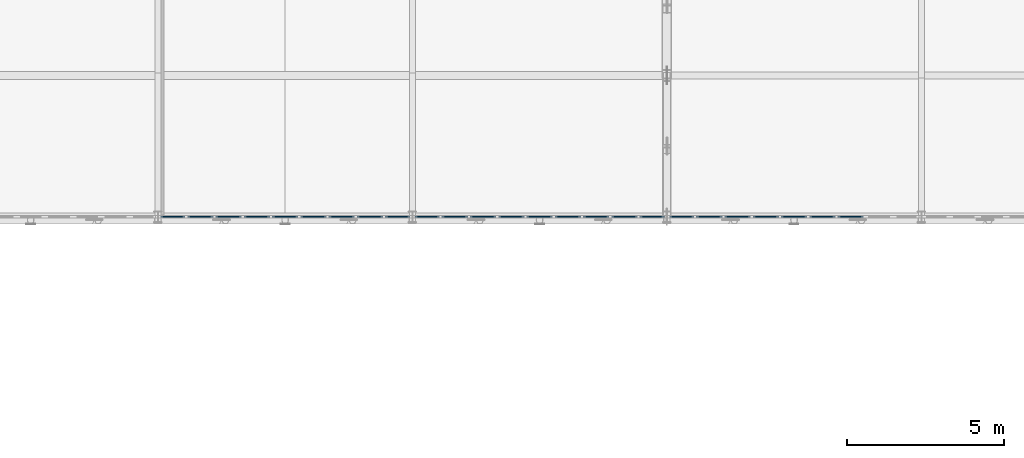
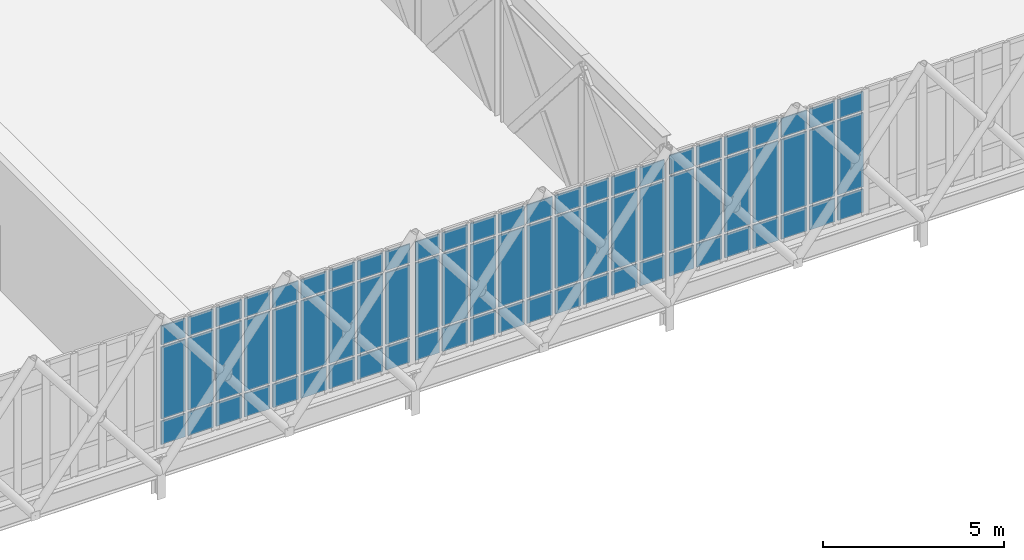
# One storey, part 66 of 107: 75 plates, 3 elements without a shape of their own.
"""IFC4 building model written with IfcOpenShell, lengths in metres."""

from ifc_helpers import new_model, si_unit, direction, frame, origin, origin_2d, place, context, subcontext, project, spatial, rectangle, extrude, material, layer, layer_set, type_object, element, aggregate, save


model = new_model("IFC4")

# Units and contexts
model_context = context("Model", 3, precision=1e-05, world=origin(), true_north=direction((0.0, 1.0)))
body_context = subcontext(model_context, "Body", "Model", "MODEL_VIEW")
ifc_project = project(units=[si_unit("LENGTHUNIT", "METRE"), si_unit("AREAUNIT", "SQUARE_METRE"), si_unit("VOLUMEUNIT", "CUBIC_METRE"), si_unit("PLANEANGLEUNIT", "RADIAN"), si_unit("MASSUNIT", "GRAM", prefix="KILO")], contexts=[model_context])

# Site, building, storey
site_placement = place(None, origin())
site = spatial("IfcSite", under=ifc_project, at=site_placement, CompositionType="ELEMENT")
building_placement = place(site_placement, origin())
building = spatial("IfcBuilding", under=site, at=building_placement, Name="Tarnveldt Square Police Headquarters", CompositionType="ELEMENT")
storey_placement = place(building_placement, frame((0.0, 0.0, 14.699951171875)))
storey = spatial("IfcBuildingStorey", under=building, at=storey_placement, Name="L03", CompositionType="ELEMENT", Elevation=14.699951171875)

# Curtain wall, plates
ifc_material = material(Name="UL 752 Level III laminated ballistic vision glass", Category="glass")
curtain_wall_type_1 = type_object("IfcCurtainWallType", Name="CW-BL-810x414", PredefinedType="USERDEFINED", material=ifc_material)
curtain_wall_1_placement = place(storey_placement, origin())
curtain_wall_1 = element("IfcCurtainWall", 1, at=curtain_wall_1_placement, inside=storey, type_object=curtain_wall_type_1, Name="L03 Curtain Wall CW-L03-026", ObjectType="BALLISTIC CURTAIN WALL", PredefinedType="USERDEFINED")
ifc_layer = layer(ifc_material, 0.0380859375)
ifc_layer_set = layer_set([ifc_layer], Name="UL 752 Level III laminated ballistic vision glass")
plate_type = type_object("IfcPlateType", Name="CWP-BAL-38", PredefinedType="CURTAIN_PANEL", material=ifc_layer_set)
plate_1_placement = place(storey_placement, frame((32.871337890625, 7.0, 0.074951171875), z_axis=(0.0, 0.0, 1.0), x_axis=(1.0, 0.0, 0.0)))
plate_1 = element("IfcPlate", 2, at=plate_1_placement, type_object=plate_type, Name="CW-BL13 panel 1.1", PredefinedType="CURTAIN_PANEL", context=body_context, shape_type="SweptSolid", body=[
    extrude(rectangle(XDim=0.7724609375, YDim=0.0380859375, at=origin_2d()), origin(), (0.0, 0.0, 1.0), 0.78759765625),
])
plate_2_placement = place(storey_placement, frame((32.871337890625, 7.0, 0.9375), z_axis=(0.0, 0.0, 1.0), x_axis=(1.0, 0.0, 0.0)))
plate_2 = element("IfcPlate", 3, at=plate_2_placement, type_object=plate_type, Name="CW-BL13 panel 1.2", PredefinedType="CURTAIN_PANEL", context=body_context, shape_type="SweptSolid", body=[
    extrude(rectangle(XDim=0.7724609375, YDim=0.0380859375, at=origin_2d()), origin(), (0.0, 0.0, 1.0), 2.4189453125),
])
plate_3_placement = place(storey_placement, frame((32.871337890625, 7.0, 3.431640625), z_axis=(0.0, 0.0, 1.0), x_axis=(1.0, 0.0, 0.0)))
plate_3 = element("IfcPlate", 4, at=plate_3_placement, type_object=plate_type, Name="CW-BL13 panel 1.3", PredefinedType="CURTAIN_PANEL", context=body_context, shape_type="SweptSolid", body=[
    extrude(rectangle(XDim=0.7724609375, YDim=0.0380859375, at=origin_2d()), origin(), (0.0, 0.0, 1.0), 0.637451171875),
])
plate_4_placement = place(storey_placement, frame((33.75, 7.0, 0.074951171875), z_axis=(0.0, 0.0, 1.0), x_axis=(1.0, 0.0, 0.0)))
plate_4 = element("IfcPlate", 5, at=plate_4_placement, type_object=plate_type, Name="CW-BL13 panel 2.1", PredefinedType="CURTAIN_PANEL", context=body_context, shape_type="SweptSolid", body=[
    extrude(rectangle(XDim=0.81494140625, YDim=0.0380859375, at=origin_2d()), origin(), (0.0, 0.0, 1.0), 0.78759765625),
])
plate_5_placement = place(storey_placement, frame((33.75, 7.0, 0.9375), z_axis=(0.0, 0.0, 1.0), x_axis=(1.0, 0.0, 0.0)))
plate_5 = element("IfcPlate", 6, at=plate_5_placement, type_object=plate_type, Name="CW-BL13 panel 2.2", PredefinedType="CURTAIN_PANEL", context=body_context, shape_type="SweptSolid", body=[
    extrude(rectangle(XDim=0.81494140625, YDim=0.0380859375, at=origin_2d()), origin(), (0.0, 0.0, 1.0), 2.4189453125),
])
plate_6_placement = place(storey_placement, frame((33.75, 7.0, 3.431640625), z_axis=(0.0, 0.0, 1.0), x_axis=(1.0, 0.0, 0.0)))
plate_6 = element("IfcPlate", 7, at=plate_6_placement, type_object=plate_type, Name="CW-BL13 panel 2.3", PredefinedType="CURTAIN_PANEL", context=body_context, shape_type="SweptSolid", body=[
    extrude(rectangle(XDim=0.81494140625, YDim=0.0380859375, at=origin_2d()), origin(), (0.0, 0.0, 1.0), 0.637451171875),
])
plate_7_placement = place(storey_placement, frame((34.64990234375, 7.0, 0.074951171875), z_axis=(0.0, 0.0, 1.0), x_axis=(1.0, 0.0, 0.0)))
plate_7 = element("IfcPlate", 8, at=plate_7_placement, type_object=plate_type, Name="CW-BL13 panel 3.1", PredefinedType="CURTAIN_PANEL", context=body_context, shape_type="SweptSolid", body=[
    extrude(rectangle(XDim=0.81494140625, YDim=0.0380859375, at=origin_2d()), origin(), (0.0, 0.0, 1.0), 0.78759765625),
])
plate_8_placement = place(storey_placement, frame((34.64990234375, 7.0, 0.9375), z_axis=(0.0, 0.0, 1.0), x_axis=(1.0, 0.0, 0.0)))
plate_8 = element("IfcPlate", 9, at=plate_8_placement, type_object=plate_type, Name="CW-BL13 panel 3.2", PredefinedType="CURTAIN_PANEL", context=body_context, shape_type="SweptSolid", body=[
    extrude(rectangle(XDim=0.81494140625, YDim=0.0380859375, at=origin_2d()), origin(), (0.0, 0.0, 1.0), 2.4189453125),
])
plate_9_placement = place(storey_placement, frame((34.64990234375, 7.0, 3.431640625), z_axis=(0.0, 0.0, 1.0), x_axis=(1.0, 0.0, 0.0)))
plate_9 = element("IfcPlate", 10, at=plate_9_placement, type_object=plate_type, Name="CW-BL13 panel 3.3", PredefinedType="CURTAIN_PANEL", context=body_context, shape_type="SweptSolid", body=[
    extrude(rectangle(XDim=0.81494140625, YDim=0.0380859375, at=origin_2d()), origin(), (0.0, 0.0, 1.0), 0.637451171875),
])
plate_10_placement = place(storey_placement, frame((35.550048828125, 7.0, 0.074951171875), z_axis=(0.0, 0.0, 1.0), x_axis=(1.0, 0.0, 0.0)))
plate_10 = element("IfcPlate", 11, at=plate_10_placement, type_object=plate_type, Name="CW-BL13 panel 4.1", PredefinedType="CURTAIN_PANEL", context=body_context, shape_type="SweptSolid", body=[
    extrude(rectangle(XDim=0.81494140625, YDim=0.0380859375, at=origin_2d()), origin(), (0.0, 0.0, 1.0), 0.78759765625),
])
plate_11_placement = place(storey_placement, frame((35.550048828125, 7.0, 0.9375), z_axis=(0.0, 0.0, 1.0), x_axis=(1.0, 0.0, 0.0)))
plate_11 = element("IfcPlate", 12, at=plate_11_placement, type_object=plate_type, Name="CW-BL13 panel 4.2", PredefinedType="CURTAIN_PANEL", context=body_context, shape_type="SweptSolid", body=[
    extrude(rectangle(XDim=0.81494140625, YDim=0.0380859375, at=origin_2d()), origin(), (0.0, 0.0, 1.0), 2.4189453125),
])
plate_12_placement = place(storey_placement, frame((35.550048828125, 7.0, 3.431640625), z_axis=(0.0, 0.0, 1.0), x_axis=(1.0, 0.0, 0.0)))
plate_12 = element("IfcPlate", 13, at=plate_12_placement, type_object=plate_type, Name="CW-BL13 panel 4.3", PredefinedType="CURTAIN_PANEL", context=body_context, shape_type="SweptSolid", body=[
    extrude(rectangle(XDim=0.81494140625, YDim=0.0380859375, at=origin_2d()), origin(), (0.0, 0.0, 1.0), 0.637451171875),
])
plate_13_placement = place(storey_placement, frame((36.449951171875, 7.0, 0.074951171875), z_axis=(0.0, 0.0, 1.0), x_axis=(1.0, 0.0, 0.0)))
plate_13 = element("IfcPlate", 14, at=plate_13_placement, type_object=plate_type, Name="CW-BL13 panel 5.1", PredefinedType="CURTAIN_PANEL", context=body_context, shape_type="SweptSolid", body=[
    extrude(rectangle(XDim=0.81494140625, YDim=0.0380859375, at=origin_2d()), origin(), (0.0, 0.0, 1.0), 0.78759765625),
])
plate_14_placement = place(storey_placement, frame((36.449951171875, 7.0, 0.9375), z_axis=(0.0, 0.0, 1.0), x_axis=(1.0, 0.0, 0.0)))
plate_14 = element("IfcPlate", 15, at=plate_14_placement, type_object=plate_type, Name="CW-BL13 panel 5.2", PredefinedType="CURTAIN_PANEL", context=body_context, shape_type="SweptSolid", body=[
    extrude(rectangle(XDim=0.81494140625, YDim=0.0380859375, at=origin_2d()), origin(), (0.0, 0.0, 1.0), 2.4189453125),
])
plate_15_placement = place(storey_placement, frame((36.449951171875, 7.0, 3.431640625), z_axis=(0.0, 0.0, 1.0), x_axis=(1.0, 0.0, 0.0)))
plate_15 = element("IfcPlate", 16, at=plate_15_placement, type_object=plate_type, Name="CW-BL13 panel 5.3", PredefinedType="CURTAIN_PANEL", context=body_context, shape_type="SweptSolid", body=[
    extrude(rectangle(XDim=0.81494140625, YDim=0.0380859375, at=origin_2d()), origin(), (0.0, 0.0, 1.0), 0.637451171875),
])
plate_16_placement = place(storey_placement, frame((37.35009765625, 7.0, 0.074951171875), z_axis=(0.0, 0.0, 1.0), x_axis=(1.0, 0.0, 0.0)))
plate_16 = element("IfcPlate", 17, at=plate_16_placement, type_object=plate_type, Name="CW-BL13 panel 6.1", PredefinedType="CURTAIN_PANEL", context=body_context, shape_type="SweptSolid", body=[
    extrude(rectangle(XDim=0.81494140625, YDim=0.0380859375, at=origin_2d()), origin(), (0.0, 0.0, 1.0), 0.78759765625),
])
plate_17_placement = place(storey_placement, frame((37.35009765625, 7.0, 0.9375), z_axis=(0.0, 0.0, 1.0), x_axis=(1.0, 0.0, 0.0)))
plate_17 = element("IfcPlate", 18, at=plate_17_placement, type_object=plate_type, Name="CW-BL13 panel 6.2", PredefinedType="CURTAIN_PANEL", context=body_context, shape_type="SweptSolid", body=[
    extrude(rectangle(XDim=0.81494140625, YDim=0.0380859375, at=origin_2d()), origin(), (0.0, 0.0, 1.0), 2.4189453125),
])
plate_18_placement = place(storey_placement, frame((37.35009765625, 7.0, 3.431640625), z_axis=(0.0, 0.0, 1.0), x_axis=(1.0, 0.0, 0.0)))
plate_18 = element("IfcPlate", 19, at=plate_18_placement, type_object=plate_type, Name="CW-BL13 panel 6.3", PredefinedType="CURTAIN_PANEL", context=body_context, shape_type="SweptSolid", body=[
    extrude(rectangle(XDim=0.81494140625, YDim=0.0380859375, at=origin_2d()), origin(), (0.0, 0.0, 1.0), 0.637451171875),
])
plate_19_placement = place(storey_placement, frame((38.25, 7.0, 0.074951171875), z_axis=(0.0, 0.0, 1.0), x_axis=(1.0, 0.0, 0.0)))
plate_19 = element("IfcPlate", 20, at=plate_19_placement, type_object=plate_type, Name="CW-BL13 panel 7.1", PredefinedType="CURTAIN_PANEL", context=body_context, shape_type="SweptSolid", body=[
    extrude(rectangle(XDim=0.81494140625, YDim=0.0380859375, at=origin_2d()), origin(), (0.0, 0.0, 1.0), 0.78759765625),
])
plate_20_placement = place(storey_placement, frame((38.25, 7.0, 0.9375), z_axis=(0.0, 0.0, 1.0), x_axis=(1.0, 0.0, 0.0)))
plate_20 = element("IfcPlate", 21, at=plate_20_placement, type_object=plate_type, Name="CW-BL13 panel 7.2", PredefinedType="CURTAIN_PANEL", context=body_context, shape_type="SweptSolid", body=[
    extrude(rectangle(XDim=0.81494140625, YDim=0.0380859375, at=origin_2d()), origin(), (0.0, 0.0, 1.0), 2.4189453125),
])
plate_21_placement = place(storey_placement, frame((38.25, 7.0, 3.431640625), z_axis=(0.0, 0.0, 1.0), x_axis=(1.0, 0.0, 0.0)))
plate_21 = element("IfcPlate", 22, at=plate_21_placement, type_object=plate_type, Name="CW-BL13 panel 7.3", PredefinedType="CURTAIN_PANEL", context=body_context, shape_type="SweptSolid", body=[
    extrude(rectangle(XDim=0.81494140625, YDim=0.0380859375, at=origin_2d()), origin(), (0.0, 0.0, 1.0), 0.637451171875),
])
plate_22_placement = place(storey_placement, frame((39.14990234375, 7.0, 0.074951171875), z_axis=(0.0, 0.0, 1.0), x_axis=(1.0, 0.0, 0.0)))
plate_22 = element("IfcPlate", 23, at=plate_22_placement, type_object=plate_type, Name="CW-BL13 panel 8.1", PredefinedType="CURTAIN_PANEL", context=body_context, shape_type="SweptSolid", body=[
    extrude(rectangle(XDim=0.81494140625, YDim=0.0380859375, at=origin_2d()), origin(), (0.0, 0.0, 1.0), 0.78759765625),
])
plate_23_placement = place(storey_placement, frame((39.14990234375, 7.0, 0.9375), z_axis=(0.0, 0.0, 1.0), x_axis=(1.0, 0.0, 0.0)))
plate_23 = element("IfcPlate", 24, at=plate_23_placement, type_object=plate_type, Name="CW-BL13 panel 8.2", PredefinedType="CURTAIN_PANEL", context=body_context, shape_type="SweptSolid", body=[
    extrude(rectangle(XDim=0.81494140625, YDim=0.0380859375, at=origin_2d()), origin(), (0.0, 0.0, 1.0), 2.4189453125),
])
plate_24_placement = place(storey_placement, frame((39.14990234375, 7.0, 3.431640625), z_axis=(0.0, 0.0, 1.0), x_axis=(1.0, 0.0, 0.0)))
plate_24 = element("IfcPlate", 25, at=plate_24_placement, type_object=plate_type, Name="CW-BL13 panel 8.3", PredefinedType="CURTAIN_PANEL", context=body_context, shape_type="SweptSolid", body=[
    extrude(rectangle(XDim=0.81494140625, YDim=0.0380859375, at=origin_2d()), origin(), (0.0, 0.0, 1.0), 0.637451171875),
])
plate_25_placement = place(storey_placement, frame((40.02880859375, 7.0, 0.074951171875), z_axis=(0.0, 0.0, 1.0), x_axis=(1.0, 0.0, 0.0)))
plate_25 = element("IfcPlate", 26, at=plate_25_placement, type_object=plate_type, Name="CW-BL13 panel 9.1", PredefinedType="CURTAIN_PANEL", context=body_context, shape_type="SweptSolid", body=[
    extrude(rectangle(XDim=0.7724609375, YDim=0.0380859375, at=origin_2d()), origin(), (0.0, 0.0, 1.0), 0.78759765625),
])
plate_26_placement = place(storey_placement, frame((40.02880859375, 7.0, 0.9375), z_axis=(0.0, 0.0, 1.0), x_axis=(1.0, 0.0, 0.0)))
plate_26 = element("IfcPlate", 27, at=plate_26_placement, type_object=plate_type, Name="CW-BL13 panel 9.2", PredefinedType="CURTAIN_PANEL", context=body_context, shape_type="SweptSolid", body=[
    extrude(rectangle(XDim=0.7724609375, YDim=0.0380859375, at=origin_2d()), origin(), (0.0, 0.0, 1.0), 2.4189453125),
])
plate_27_placement = place(storey_placement, frame((40.02880859375, 7.0, 3.431640625), z_axis=(0.0, 0.0, 1.0), x_axis=(1.0, 0.0, 0.0)))
plate_27 = element("IfcPlate", 28, at=plate_27_placement, type_object=plate_type, Name="CW-BL13 panel 9.3", PredefinedType="CURTAIN_PANEL", context=body_context, shape_type="SweptSolid", body=[
    extrude(rectangle(XDim=0.7724609375, YDim=0.0380859375, at=origin_2d()), origin(), (0.0, 0.0, 1.0), 0.637451171875),
])
aggregate(curtain_wall_1, [plate_1, plate_2, plate_3, plate_4, plate_5, plate_6, plate_7, plate_8, plate_9, plate_10, plate_11, plate_12, plate_13, plate_14, plate_15, plate_16, plate_17, plate_18, plate_19, plate_20, plate_21, plate_22, plate_23, plate_24, plate_25, plate_26, plate_27])

curtain_wall_2_placement = place(storey_placement, origin())
curtain_wall_2 = element("IfcCurtainWall", 29, at=curtain_wall_2_placement, inside=storey, type_object=curtain_wall_type_1, Name="L03 Curtain Wall CW-L03-027", ObjectType="BALLISTIC CURTAIN WALL", PredefinedType="USERDEFINED")
plate_28_placement = place(storey_placement, frame((40.97119140625, 7.0, 0.074951171875), z_axis=(0.0, 0.0, 1.0), x_axis=(1.0, 0.0, 0.0)))
plate_28 = element("IfcPlate", 30, at=plate_28_placement, type_object=plate_type, Name="CW-BL13 panel 1.1", PredefinedType="CURTAIN_PANEL", context=body_context, shape_type="SweptSolid", body=[
    extrude(rectangle(XDim=0.7724609375, YDim=0.0380859375, at=origin_2d()), origin(), (0.0, 0.0, 1.0), 0.78759765625),
])
plate_29_placement = place(storey_placement, frame((40.97119140625, 7.0, 0.9375), z_axis=(0.0, 0.0, 1.0), x_axis=(1.0, 0.0, 0.0)))
plate_29 = element("IfcPlate", 31, at=plate_29_placement, type_object=plate_type, Name="CW-BL13 panel 1.2", PredefinedType="CURTAIN_PANEL", context=body_context, shape_type="SweptSolid", body=[
    extrude(rectangle(XDim=0.7724609375, YDim=0.0380859375, at=origin_2d()), origin(), (0.0, 0.0, 1.0), 2.4189453125),
])
plate_30_placement = place(storey_placement, frame((40.97119140625, 7.0, 3.431640625), z_axis=(0.0, 0.0, 1.0), x_axis=(1.0, 0.0, 0.0)))
plate_30 = element("IfcPlate", 32, at=plate_30_placement, type_object=plate_type, Name="CW-BL13 panel 1.3", PredefinedType="CURTAIN_PANEL", context=body_context, shape_type="SweptSolid", body=[
    extrude(rectangle(XDim=0.7724609375, YDim=0.0380859375, at=origin_2d()), origin(), (0.0, 0.0, 1.0), 0.637451171875),
])
plate_31_placement = place(storey_placement, frame((41.85009765625, 7.0, 0.074951171875), z_axis=(0.0, 0.0, 1.0), x_axis=(1.0, 0.0, 0.0)))
plate_31 = element("IfcPlate", 33, at=plate_31_placement, type_object=plate_type, Name="CW-BL13 panel 2.1", PredefinedType="CURTAIN_PANEL", context=body_context, shape_type="SweptSolid", body=[
    extrude(rectangle(XDim=0.81494140625, YDim=0.0380859375, at=origin_2d()), origin(), (0.0, 0.0, 1.0), 0.78759765625),
])
plate_32_placement = place(storey_placement, frame((41.85009765625, 7.0, 0.9375), z_axis=(0.0, 0.0, 1.0), x_axis=(1.0, 0.0, 0.0)))
plate_32 = element("IfcPlate", 34, at=plate_32_placement, type_object=plate_type, Name="CW-BL13 panel 2.2", PredefinedType="CURTAIN_PANEL", context=body_context, shape_type="SweptSolid", body=[
    extrude(rectangle(XDim=0.81494140625, YDim=0.0380859375, at=origin_2d()), origin(), (0.0, 0.0, 1.0), 2.4189453125),
])
plate_33_placement = place(storey_placement, frame((41.85009765625, 7.0, 3.431640625), z_axis=(0.0, 0.0, 1.0), x_axis=(1.0, 0.0, 0.0)))
plate_33 = element("IfcPlate", 35, at=plate_33_placement, type_object=plate_type, Name="CW-BL13 panel 2.3", PredefinedType="CURTAIN_PANEL", context=body_context, shape_type="SweptSolid", body=[
    extrude(rectangle(XDim=0.81494140625, YDim=0.0380859375, at=origin_2d()), origin(), (0.0, 0.0, 1.0), 0.637451171875),
])
plate_34_placement = place(storey_placement, frame((42.75, 7.0, 0.074951171875), z_axis=(0.0, 0.0, 1.0), x_axis=(1.0, 0.0, 0.0)))
plate_34 = element("IfcPlate", 36, at=plate_34_placement, type_object=plate_type, Name="CW-BL13 panel 3.1", PredefinedType="CURTAIN_PANEL", context=body_context, shape_type="SweptSolid", body=[
    extrude(rectangle(XDim=0.81494140625, YDim=0.0380859375, at=origin_2d()), origin(), (0.0, 0.0, 1.0), 0.78759765625),
])
plate_35_placement = place(storey_placement, frame((42.75, 7.0, 0.9375), z_axis=(0.0, 0.0, 1.0), x_axis=(1.0, 0.0, 0.0)))
plate_35 = element("IfcPlate", 37, at=plate_35_placement, type_object=plate_type, Name="CW-BL13 panel 3.2", PredefinedType="CURTAIN_PANEL", context=body_context, shape_type="SweptSolid", body=[
    extrude(rectangle(XDim=0.81494140625, YDim=0.0380859375, at=origin_2d()), origin(), (0.0, 0.0, 1.0), 2.4189453125),
])
plate_36_placement = place(storey_placement, frame((42.75, 7.0, 3.431640625), z_axis=(0.0, 0.0, 1.0), x_axis=(1.0, 0.0, 0.0)))
plate_36 = element("IfcPlate", 38, at=plate_36_placement, type_object=plate_type, Name="CW-BL13 panel 3.3", PredefinedType="CURTAIN_PANEL", context=body_context, shape_type="SweptSolid", body=[
    extrude(rectangle(XDim=0.81494140625, YDim=0.0380859375, at=origin_2d()), origin(), (0.0, 0.0, 1.0), 0.637451171875),
])
plate_37_placement = place(storey_placement, frame((43.64990234375, 7.0, 0.074951171875), z_axis=(0.0, 0.0, 1.0), x_axis=(1.0, 0.0, 0.0)))
plate_37 = element("IfcPlate", 39, at=plate_37_placement, type_object=plate_type, Name="CW-BL13 panel 4.1", PredefinedType="CURTAIN_PANEL", context=body_context, shape_type="SweptSolid", body=[
    extrude(rectangle(XDim=0.81494140625, YDim=0.0380859375, at=origin_2d()), origin(), (0.0, 0.0, 1.0), 0.78759765625),
])
plate_38_placement = place(storey_placement, frame((43.64990234375, 7.0, 0.9375), z_axis=(0.0, 0.0, 1.0), x_axis=(1.0, 0.0, 0.0)))
plate_38 = element("IfcPlate", 40, at=plate_38_placement, type_object=plate_type, Name="CW-BL13 panel 4.2", PredefinedType="CURTAIN_PANEL", context=body_context, shape_type="SweptSolid", body=[
    extrude(rectangle(XDim=0.81494140625, YDim=0.0380859375, at=origin_2d()), origin(), (0.0, 0.0, 1.0), 2.4189453125),
])
plate_39_placement = place(storey_placement, frame((43.64990234375, 7.0, 3.431640625), z_axis=(0.0, 0.0, 1.0), x_axis=(1.0, 0.0, 0.0)))
plate_39 = element("IfcPlate", 41, at=plate_39_placement, type_object=plate_type, Name="CW-BL13 panel 4.3", PredefinedType="CURTAIN_PANEL", context=body_context, shape_type="SweptSolid", body=[
    extrude(rectangle(XDim=0.81494140625, YDim=0.0380859375, at=origin_2d()), origin(), (0.0, 0.0, 1.0), 0.637451171875),
])
plate_40_placement = place(storey_placement, frame((44.550048828125, 7.0, 0.074951171875), z_axis=(0.0, 0.0, 1.0), x_axis=(1.0, 0.0, 0.0)))
plate_40 = element("IfcPlate", 42, at=plate_40_placement, type_object=plate_type, Name="CW-BL13 panel 5.1", PredefinedType="CURTAIN_PANEL", context=body_context, shape_type="SweptSolid", body=[
    extrude(rectangle(XDim=0.81494140625, YDim=0.0380859375, at=origin_2d()), origin(), (0.0, 0.0, 1.0), 0.78759765625),
])
plate_41_placement = place(storey_placement, frame((44.550048828125, 7.0, 0.9375), z_axis=(0.0, 0.0, 1.0), x_axis=(1.0, 0.0, 0.0)))
plate_41 = element("IfcPlate", 43, at=plate_41_placement, type_object=plate_type, Name="CW-BL13 panel 5.2", PredefinedType="CURTAIN_PANEL", context=body_context, shape_type="SweptSolid", body=[
    extrude(rectangle(XDim=0.81494140625, YDim=0.0380859375, at=origin_2d()), origin(), (0.0, 0.0, 1.0), 2.4189453125),
])
plate_42_placement = place(storey_placement, frame((44.550048828125, 7.0, 3.431640625), z_axis=(0.0, 0.0, 1.0), x_axis=(1.0, 0.0, 0.0)))
plate_42 = element("IfcPlate", 44, at=plate_42_placement, type_object=plate_type, Name="CW-BL13 panel 5.3", PredefinedType="CURTAIN_PANEL", context=body_context, shape_type="SweptSolid", body=[
    extrude(rectangle(XDim=0.81494140625, YDim=0.0380859375, at=origin_2d()), origin(), (0.0, 0.0, 1.0), 0.637451171875),
])
plate_43_placement = place(storey_placement, frame((45.449951171875, 7.0, 0.074951171875), z_axis=(0.0, 0.0, 1.0), x_axis=(1.0, 0.0, 0.0)))
plate_43 = element("IfcPlate", 45, at=plate_43_placement, type_object=plate_type, Name="CW-BL13 panel 6.1", PredefinedType="CURTAIN_PANEL", context=body_context, shape_type="SweptSolid", body=[
    extrude(rectangle(XDim=0.81494140625, YDim=0.0380859375, at=origin_2d()), origin(), (0.0, 0.0, 1.0), 0.78759765625),
])
plate_44_placement = place(storey_placement, frame((45.449951171875, 7.0, 0.9375), z_axis=(0.0, 0.0, 1.0), x_axis=(1.0, 0.0, 0.0)))
plate_44 = element("IfcPlate", 46, at=plate_44_placement, type_object=plate_type, Name="CW-BL13 panel 6.2", PredefinedType="CURTAIN_PANEL", context=body_context, shape_type="SweptSolid", body=[
    extrude(rectangle(XDim=0.81494140625, YDim=0.0380859375, at=origin_2d()), origin(), (0.0, 0.0, 1.0), 2.4189453125),
])
plate_45_placement = place(storey_placement, frame((45.449951171875, 7.0, 3.431640625), z_axis=(0.0, 0.0, 1.0), x_axis=(1.0, 0.0, 0.0)))
plate_45 = element("IfcPlate", 47, at=plate_45_placement, type_object=plate_type, Name="CW-BL13 panel 6.3", PredefinedType="CURTAIN_PANEL", context=body_context, shape_type="SweptSolid", body=[
    extrude(rectangle(XDim=0.81494140625, YDim=0.0380859375, at=origin_2d()), origin(), (0.0, 0.0, 1.0), 0.637451171875),
])
plate_46_placement = place(storey_placement, frame((46.35009765625, 7.0, 0.074951171875), z_axis=(0.0, 0.0, 1.0), x_axis=(1.0, 0.0, 0.0)))
plate_46 = element("IfcPlate", 48, at=plate_46_placement, type_object=plate_type, Name="CW-BL13 panel 7.1", PredefinedType="CURTAIN_PANEL", context=body_context, shape_type="SweptSolid", body=[
    extrude(rectangle(XDim=0.81494140625, YDim=0.0380859375, at=origin_2d()), origin(), (0.0, 0.0, 1.0), 0.78759765625),
])
plate_47_placement = place(storey_placement, frame((46.35009765625, 7.0, 0.9375), z_axis=(0.0, 0.0, 1.0), x_axis=(1.0, 0.0, 0.0)))
plate_47 = element("IfcPlate", 49, at=plate_47_placement, type_object=plate_type, Name="CW-BL13 panel 7.2", PredefinedType="CURTAIN_PANEL", context=body_context, shape_type="SweptSolid", body=[
    extrude(rectangle(XDim=0.81494140625, YDim=0.0380859375, at=origin_2d()), origin(), (0.0, 0.0, 1.0), 2.4189453125),
])
plate_48_placement = place(storey_placement, frame((46.35009765625, 7.0, 3.431640625), z_axis=(0.0, 0.0, 1.0), x_axis=(1.0, 0.0, 0.0)))
plate_48 = element("IfcPlate", 50, at=plate_48_placement, type_object=plate_type, Name="CW-BL13 panel 7.3", PredefinedType="CURTAIN_PANEL", context=body_context, shape_type="SweptSolid", body=[
    extrude(rectangle(XDim=0.81494140625, YDim=0.0380859375, at=origin_2d()), origin(), (0.0, 0.0, 1.0), 0.637451171875),
])
plate_49_placement = place(storey_placement, frame((47.25, 7.0, 0.074951171875), z_axis=(0.0, 0.0, 1.0), x_axis=(1.0, 0.0, 0.0)))
plate_49 = element("IfcPlate", 51, at=plate_49_placement, type_object=plate_type, Name="CW-BL13 panel 8.1", PredefinedType="CURTAIN_PANEL", context=body_context, shape_type="SweptSolid", body=[
    extrude(rectangle(XDim=0.81494140625, YDim=0.0380859375, at=origin_2d()), origin(), (0.0, 0.0, 1.0), 0.78759765625),
])
plate_50_placement = place(storey_placement, frame((47.25, 7.0, 0.9375), z_axis=(0.0, 0.0, 1.0), x_axis=(1.0, 0.0, 0.0)))
plate_50 = element("IfcPlate", 52, at=plate_50_placement, type_object=plate_type, Name="CW-BL13 panel 8.2", PredefinedType="CURTAIN_PANEL", context=body_context, shape_type="SweptSolid", body=[
    extrude(rectangle(XDim=0.81494140625, YDim=0.0380859375, at=origin_2d()), origin(), (0.0, 0.0, 1.0), 2.4189453125),
])
plate_51_placement = place(storey_placement, frame((47.25, 7.0, 3.431640625), z_axis=(0.0, 0.0, 1.0), x_axis=(1.0, 0.0, 0.0)))
plate_51 = element("IfcPlate", 53, at=plate_51_placement, type_object=plate_type, Name="CW-BL13 panel 8.3", PredefinedType="CURTAIN_PANEL", context=body_context, shape_type="SweptSolid", body=[
    extrude(rectangle(XDim=0.81494140625, YDim=0.0380859375, at=origin_2d()), origin(), (0.0, 0.0, 1.0), 0.637451171875),
])
plate_52_placement = place(storey_placement, frame((48.128662109375, 7.0, 0.074951171875), z_axis=(0.0, 0.0, 1.0), x_axis=(1.0, 0.0, 0.0)))
plate_52 = element("IfcPlate", 54, at=plate_52_placement, type_object=plate_type, Name="CW-BL13 panel 9.1", PredefinedType="CURTAIN_PANEL", context=body_context, shape_type="SweptSolid", body=[
    extrude(rectangle(XDim=0.7724609375, YDim=0.0380859375, at=origin_2d()), origin(), (0.0, 0.0, 1.0), 0.78759765625),
])
plate_53_placement = place(storey_placement, frame((48.128662109375, 7.0, 0.9375), z_axis=(0.0, 0.0, 1.0), x_axis=(1.0, 0.0, 0.0)))
plate_53 = element("IfcPlate", 55, at=plate_53_placement, type_object=plate_type, Name="CW-BL13 panel 9.2", PredefinedType="CURTAIN_PANEL", context=body_context, shape_type="SweptSolid", body=[
    extrude(rectangle(XDim=0.7724609375, YDim=0.0380859375, at=origin_2d()), origin(), (0.0, 0.0, 1.0), 2.4189453125),
])
plate_54_placement = place(storey_placement, frame((48.128662109375, 7.0, 3.431640625), z_axis=(0.0, 0.0, 1.0), x_axis=(1.0, 0.0, 0.0)))
plate_54 = element("IfcPlate", 56, at=plate_54_placement, type_object=plate_type, Name="CW-BL13 panel 9.3", PredefinedType="CURTAIN_PANEL", context=body_context, shape_type="SweptSolid", body=[
    extrude(rectangle(XDim=0.7724609375, YDim=0.0380859375, at=origin_2d()), origin(), (0.0, 0.0, 1.0), 0.637451171875),
])
aggregate(curtain_wall_2, [plate_28, plate_29, plate_30, plate_31, plate_32, plate_33, plate_34, plate_35, plate_36, plate_37, plate_38, plate_39, plate_40, plate_41, plate_42, plate_43, plate_44, plate_45, plate_46, plate_47, plate_48, plate_49, plate_50, plate_51, plate_52, plate_53, plate_54])

curtain_wall_type_2 = type_object("IfcCurtainWallType", Name="CW-BL-810x422", PredefinedType="USERDEFINED", material=ifc_material)
curtain_wall_3_placement = place(storey_placement, origin())
curtain_wall_3 = element("IfcCurtainWall", 57, at=curtain_wall_3_placement, inside=storey, type_object=curtain_wall_type_2, Name="L03 Curtain Wall CW-L03-028", ObjectType="BALLISTIC CURTAIN WALL", PredefinedType="USERDEFINED")
plate_55_placement = place(storey_placement, frame((49.0712890625, 7.0, 0.074951171875), z_axis=(0.0, 0.0, 1.0), x_axis=(1.0, 0.0, 0.0)))
plate_55 = element("IfcPlate", 58, at=plate_55_placement, type_object=plate_type, Name="CW-BL12 panel 1.1", PredefinedType="CURTAIN_PANEL", context=body_context, shape_type="SweptSolid", body=[
    extrude(rectangle(XDim=0.7724609375, YDim=0.0380859375, at=origin_2d()), origin(), (0.0, 0.0, 1.0), 0.78759765625),
])
plate_56_placement = place(storey_placement, frame((49.0712890625, 7.0, 0.9375), z_axis=(0.0, 0.0, 1.0), x_axis=(1.0, 0.0, 0.0)))
plate_56 = element("IfcPlate", 59, at=plate_56_placement, type_object=plate_type, Name="CW-BL12 panel 1.2", PredefinedType="CURTAIN_PANEL", context=body_context, shape_type="SweptSolid", body=[
    extrude(rectangle(XDim=0.7724609375, YDim=0.0380859375, at=origin_2d()), origin(), (0.0, 0.0, 1.0), 2.4951171875),
])
plate_57_placement = place(storey_placement, frame((49.0712890625, 7.0, 3.5078125), z_axis=(0.0, 0.0, 1.0), x_axis=(1.0, 0.0, 0.0)))
plate_57 = element("IfcPlate", 60, at=plate_57_placement, type_object=plate_type, Name="CW-BL12 panel 1.3", PredefinedType="CURTAIN_PANEL", context=body_context, shape_type="SweptSolid", body=[
    extrude(rectangle(XDim=0.7724609375, YDim=0.0380859375, at=origin_2d()), origin(), (0.0, 0.0, 1.0), 0.637451171875),
])
plate_58_placement = place(storey_placement, frame((49.949951171875, 7.0, 0.074951171875), z_axis=(0.0, 0.0, 1.0), x_axis=(1.0, 0.0, 0.0)))
plate_58 = element("IfcPlate", 61, at=plate_58_placement, type_object=plate_type, Name="CW-BL12 panel 2.1", PredefinedType="CURTAIN_PANEL", context=body_context, shape_type="SweptSolid", body=[
    extrude(rectangle(XDim=0.81494140625, YDim=0.0380859375, at=origin_2d()), origin(), (0.0, 0.0, 1.0), 0.78759765625),
])
plate_59_placement = place(storey_placement, frame((49.949951171875, 7.0, 0.9375), z_axis=(0.0, 0.0, 1.0), x_axis=(1.0, 0.0, 0.0)))
plate_59 = element("IfcPlate", 62, at=plate_59_placement, type_object=plate_type, Name="CW-BL12 panel 2.2", PredefinedType="CURTAIN_PANEL", context=body_context, shape_type="SweptSolid", body=[
    extrude(rectangle(XDim=0.81494140625, YDim=0.0380859375, at=origin_2d()), origin(), (0.0, 0.0, 1.0), 2.4951171875),
])
plate_60_placement = place(storey_placement, frame((49.949951171875, 7.0, 3.5078125), z_axis=(0.0, 0.0, 1.0), x_axis=(1.0, 0.0, 0.0)))
plate_60 = element("IfcPlate", 63, at=plate_60_placement, type_object=plate_type, Name="CW-BL12 panel 2.3", PredefinedType="CURTAIN_PANEL", context=body_context, shape_type="SweptSolid", body=[
    extrude(rectangle(XDim=0.81494140625, YDim=0.0380859375, at=origin_2d()), origin(), (0.0, 0.0, 1.0), 0.637451171875),
])
plate_61_placement = place(storey_placement, frame((50.85009765625, 7.0, 0.074951171875), z_axis=(0.0, 0.0, 1.0), x_axis=(1.0, 0.0, 0.0)))
plate_61 = element("IfcPlate", 64, at=plate_61_placement, type_object=plate_type, Name="CW-BL12 panel 3.1", PredefinedType="CURTAIN_PANEL", context=body_context, shape_type="SweptSolid", body=[
    extrude(rectangle(XDim=0.81494140625, YDim=0.0380859375, at=origin_2d()), origin(), (0.0, 0.0, 1.0), 0.78759765625),
])
plate_62_placement = place(storey_placement, frame((50.85009765625, 7.0, 0.9375), z_axis=(0.0, 0.0, 1.0), x_axis=(1.0, 0.0, 0.0)))
plate_62 = element("IfcPlate", 65, at=plate_62_placement, type_object=plate_type, Name="CW-BL12 panel 3.2", PredefinedType="CURTAIN_PANEL", context=body_context, shape_type="SweptSolid", body=[
    extrude(rectangle(XDim=0.81494140625, YDim=0.0380859375, at=origin_2d()), origin(), (0.0, 0.0, 1.0), 2.4951171875),
])
plate_63_placement = place(storey_placement, frame((50.85009765625, 7.0, 3.5078125), z_axis=(0.0, 0.0, 1.0), x_axis=(1.0, 0.0, 0.0)))
plate_63 = element("IfcPlate", 66, at=plate_63_placement, type_object=plate_type, Name="CW-BL12 panel 3.3", PredefinedType="CURTAIN_PANEL", context=body_context, shape_type="SweptSolid", body=[
    extrude(rectangle(XDim=0.81494140625, YDim=0.0380859375, at=origin_2d()), origin(), (0.0, 0.0, 1.0), 0.637451171875),
])
plate_64_placement = place(storey_placement, frame((51.75, 7.0, 0.074951171875), z_axis=(0.0, 0.0, 1.0), x_axis=(1.0, 0.0, 0.0)))
plate_64 = element("IfcPlate", 67, at=plate_64_placement, type_object=plate_type, Name="CW-BL12 panel 4.1", PredefinedType="CURTAIN_PANEL", context=body_context, shape_type="SweptSolid", body=[
    extrude(rectangle(XDim=0.81494140625, YDim=0.0380859375, at=origin_2d()), origin(), (0.0, 0.0, 1.0), 0.78759765625),
])
plate_65_placement = place(storey_placement, frame((51.75, 7.0, 0.9375), z_axis=(0.0, 0.0, 1.0), x_axis=(1.0, 0.0, 0.0)))
plate_65 = element("IfcPlate", 68, at=plate_65_placement, type_object=plate_type, Name="CW-BL12 panel 4.2", PredefinedType="CURTAIN_PANEL", context=body_context, shape_type="SweptSolid", body=[
    extrude(rectangle(XDim=0.81494140625, YDim=0.0380859375, at=origin_2d()), origin(), (0.0, 0.0, 1.0), 2.4951171875),
])
plate_66_placement = place(storey_placement, frame((51.75, 7.0, 3.5078125), z_axis=(0.0, 0.0, 1.0), x_axis=(1.0, 0.0, 0.0)))
plate_66 = element("IfcPlate", 69, at=plate_66_placement, type_object=plate_type, Name="CW-BL12 panel 4.3", PredefinedType="CURTAIN_PANEL", context=body_context, shape_type="SweptSolid", body=[
    extrude(rectangle(XDim=0.81494140625, YDim=0.0380859375, at=origin_2d()), origin(), (0.0, 0.0, 1.0), 0.637451171875),
])
plate_67_placement = place(storey_placement, frame((52.64990234375, 7.0, 0.074951171875), z_axis=(0.0, 0.0, 1.0), x_axis=(1.0, 0.0, 0.0)))
plate_67 = element("IfcPlate", 70, at=plate_67_placement, type_object=plate_type, Name="CW-BL12 panel 5.1", PredefinedType="CURTAIN_PANEL", context=body_context, shape_type="SweptSolid", body=[
    extrude(rectangle(XDim=0.81494140625, YDim=0.0380859375, at=origin_2d()), origin(), (0.0, 0.0, 1.0), 0.78759765625),
])
plate_68_placement = place(storey_placement, frame((52.64990234375, 7.0, 0.9375), z_axis=(0.0, 0.0, 1.0), x_axis=(1.0, 0.0, 0.0)))
plate_68 = element("IfcPlate", 71, at=plate_68_placement, type_object=plate_type, Name="CW-BL12 panel 5.2", PredefinedType="CURTAIN_PANEL", context=body_context, shape_type="SweptSolid", body=[
    extrude(rectangle(XDim=0.81494140625, YDim=0.0380859375, at=origin_2d()), origin(), (0.0, 0.0, 1.0), 2.4951171875),
])
plate_69_placement = place(storey_placement, frame((52.64990234375, 7.0, 3.5078125), z_axis=(0.0, 0.0, 1.0), x_axis=(1.0, 0.0, 0.0)))
plate_69 = element("IfcPlate", 72, at=plate_69_placement, type_object=plate_type, Name="CW-BL12 panel 5.3", PredefinedType="CURTAIN_PANEL", context=body_context, shape_type="SweptSolid", body=[
    extrude(rectangle(XDim=0.81494140625, YDim=0.0380859375, at=origin_2d()), origin(), (0.0, 0.0, 1.0), 0.637451171875),
])
plate_70_placement = place(storey_placement, frame((53.550048828125, 7.0, 0.074951171875), z_axis=(0.0, 0.0, 1.0), x_axis=(1.0, 0.0, 0.0)))
plate_70 = element("IfcPlate", 73, at=plate_70_placement, type_object=plate_type, Name="CW-BL12 panel 6.1", PredefinedType="CURTAIN_PANEL", context=body_context, shape_type="SweptSolid", body=[
    extrude(rectangle(XDim=0.81494140625, YDim=0.0380859375, at=origin_2d()), origin(), (0.0, 0.0, 1.0), 0.78759765625),
])
plate_71_placement = place(storey_placement, frame((53.550048828125, 7.0, 0.9375), z_axis=(0.0, 0.0, 1.0), x_axis=(1.0, 0.0, 0.0)))
plate_71 = element("IfcPlate", 74, at=plate_71_placement, type_object=plate_type, Name="CW-BL12 panel 6.2", PredefinedType="CURTAIN_PANEL", context=body_context, shape_type="SweptSolid", body=[
    extrude(rectangle(XDim=0.81494140625, YDim=0.0380859375, at=origin_2d()), origin(), (0.0, 0.0, 1.0), 2.4951171875),
])
plate_72_placement = place(storey_placement, frame((53.550048828125, 7.0, 3.5078125), z_axis=(0.0, 0.0, 1.0), x_axis=(1.0, 0.0, 0.0)))
plate_72 = element("IfcPlate", 75, at=plate_72_placement, type_object=plate_type, Name="CW-BL12 panel 6.3", PredefinedType="CURTAIN_PANEL", context=body_context, shape_type="SweptSolid", body=[
    extrude(rectangle(XDim=0.81494140625, YDim=0.0380859375, at=origin_2d()), origin(), (0.0, 0.0, 1.0), 0.637451171875),
])
plate_73_placement = place(storey_placement, frame((54.449951171875, 7.0, 0.074951171875), z_axis=(0.0, 0.0, 1.0), x_axis=(1.0, 0.0, 0.0)))
plate_73 = element("IfcPlate", 76, at=plate_73_placement, type_object=plate_type, Name="CW-BL12 panel 7.1", PredefinedType="CURTAIN_PANEL", context=body_context, shape_type="SweptSolid", body=[
    extrude(rectangle(XDim=0.81494140625, YDim=0.0380859375, at=origin_2d()), origin(), (0.0, 0.0, 1.0), 0.78759765625),
])
plate_74_placement = place(storey_placement, frame((54.449951171875, 7.0, 0.9375), z_axis=(0.0, 0.0, 1.0), x_axis=(1.0, 0.0, 0.0)))
plate_74 = element("IfcPlate", 77, at=plate_74_placement, type_object=plate_type, Name="CW-BL12 panel 7.2", PredefinedType="CURTAIN_PANEL", context=body_context, shape_type="SweptSolid", body=[
    extrude(rectangle(XDim=0.81494140625, YDim=0.0380859375, at=origin_2d()), origin(), (0.0, 0.0, 1.0), 2.4951171875),
])
plate_75_placement = place(storey_placement, frame((54.449951171875, 7.0, 3.5078125), z_axis=(0.0, 0.0, 1.0), x_axis=(1.0, 0.0, 0.0)))
plate_75 = element("IfcPlate", 78, at=plate_75_placement, type_object=plate_type, Name="CW-BL12 panel 7.3", PredefinedType="CURTAIN_PANEL", context=body_context, shape_type="SweptSolid", body=[
    extrude(rectangle(XDim=0.81494140625, YDim=0.0380859375, at=origin_2d()), origin(), (0.0, 0.0, 1.0), 0.637451171875),
])
aggregate(curtain_wall_3, [plate_55, plate_56, plate_57, plate_58, plate_59, plate_60, plate_61, plate_62, plate_63, plate_64, plate_65, plate_66, plate_67, plate_68, plate_69, plate_70, plate_71, plate_72, plate_73, plate_74, plate_75])

save(model, "model.ifc")
